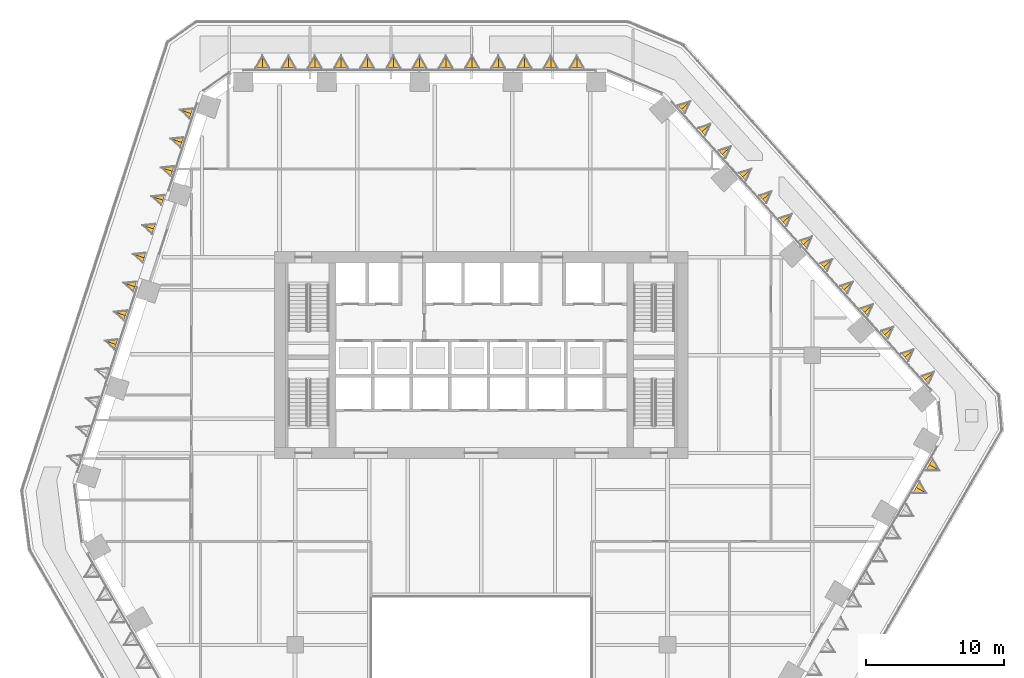
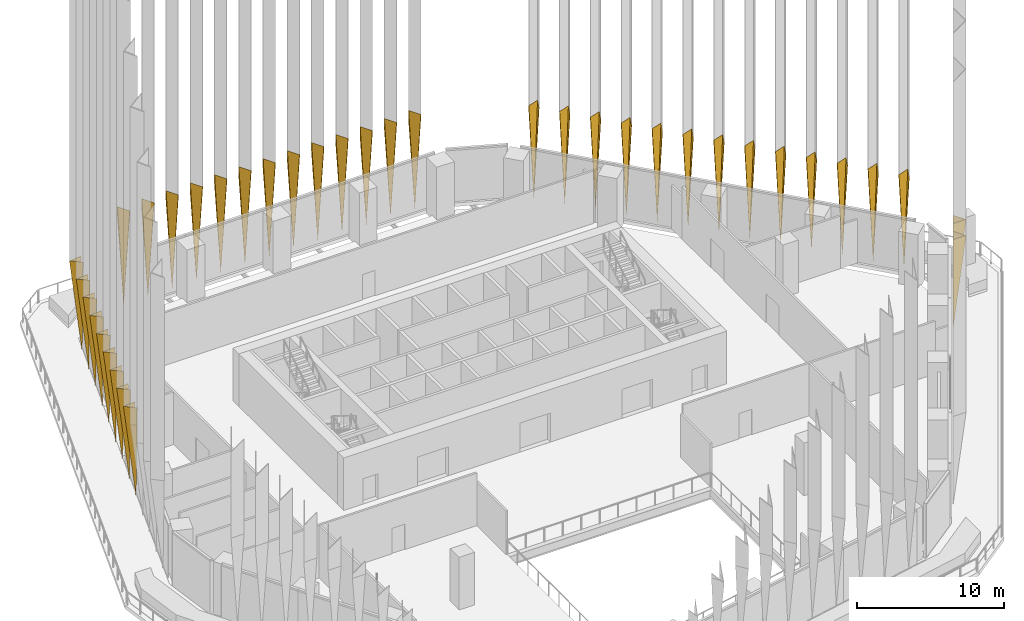
# One storey, part 25 of 27: 37 coverings.
"""IFC4 building model written with IfcOpenShell, lengths in metres."""

from ifc_helpers import new_model, si_unit, direction, frame, origin, place, context, subcontext, project, spatial, polyline, outline, faceted_brep, material, material_profile, profile_set, type_object, element, save


model = new_model("IFC4")

# Units and contexts
model_context = context("Model", 3, precision=1e-05, world=origin(), true_north=direction((0.0, 1.0)))
body_context = subcontext(model_context, "Body", "Model", "MODEL_VIEW")
ifc_project = project(units=[si_unit("LENGTHUNIT", "METRE"), si_unit("AREAUNIT", "SQUARE_METRE"), si_unit("VOLUMEUNIT", "CUBIC_METRE"), si_unit("PLANEANGLEUNIT", "RADIAN"), si_unit("MASSUNIT", "GRAM", prefix="KILO")], contexts=[model_context])

# Site, building, storey
site_placement = place(None, origin())
site = spatial("IfcSite", under=ifc_project, at=site_placement, CompositionType="ELEMENT")
building_placement = place(site_placement, origin())
building = spatial("IfcBuilding", under=site, at=building_placement, Name="Isthmus Gate Tower", CompositionType="ELEMENT")
storey_placement = place(building_placement, frame((0.0, 0.0, 121.64990234375)))
storey = spatial("IfcBuildingStorey", under=building, at=storey_placement, Name="L29", CompositionType="ELEMENT", Elevation=121.64990234375)

# Coverings
ifc_material_1 = material(Name="Structural steel ASTM A572 Gr 50, white paint system", Category="steel")
ifc_material_profile_1 = material_profile(ifc_material_1, outline(polyline([(0.0, -0.391845703125), (0.8798828125, 0.0), (0.0, 0.391845703125), (0.0, 0.35888671875), (0.80615234375, 0.0), (0.0, -0.35888671875), (0.0, -0.391845703125)])), Name="V880")
ifc_profile_set_1 = profile_set([ifc_material_profile_1], Name="Structural steel ASTM A572 Gr 50, white paint system")
covering_type_1 = type_object("IfcCoveringType", Name="FIN V 880 DEEP FOOT", PredefinedType="CLADDING", material=ifc_profile_set_1)
covering_1_placement = place(storey_placement, frame((0.0, 0.0, -121.64990234375)))
element("IfcCovering", 1, at=covering_1_placement, inside=storey, type_object=covering_type_1, Name="FIN", ObjectType="FIN", PredefinedType="CLADDING", context=body_context, shape_type="Brep", body=[
    faceted_brep([(-20.915283203125, 25.3916015625, 129.39990234375), (-21.873291015625, 25.291015625, 129.39990234375), (-21.157470703125, 24.646484375, 129.39990234375), (-21.147216796875, 24.677734375, 129.39990234375), (-21.80322265625, 25.26806640625, 129.39990234375), (-20.925537109375, 25.3603515625, 129.39990234375), (-21.036376953125, 25.01904296875, 121.75)], [[[0, 1, 2, 3, 4, 5]], [[1, 0, 6]], [[2, 1, 6]], [[3, 2, 6]], [[4, 3, 6]], [[5, 4, 6]], [[0, 5, 6]]]),
])
covering_2_placement = place(storey_placement, frame((0.0, 0.0, -121.64990234375)))
element("IfcCovering", 2, at=covering_2_placement, inside=storey, type_object=covering_type_1, Name="FIN", ObjectType="FIN", PredefinedType="CLADDING", context=body_context, shape_type="Brep", body=[
    faceted_brep([(-21.59521484375, 23.299072265625, 129.39990234375), (-22.55322265625, 23.198486328125, 129.39990234375), (-21.83740234375, 22.553955078125, 129.39990234375), (-21.8271484375, 22.585205078125, 129.39990234375), (-22.483154296875, 23.175537109375, 129.39990234375), (-21.60546875, 23.267822265625, 129.39990234375), (-21.71630859375, 22.926513671875, 121.75)], [[[0, 1, 2, 3, 4, 5]], [[1, 0, 6]], [[2, 1, 6]], [[3, 2, 6]], [[4, 3, 6]], [[5, 4, 6]], [[0, 5, 6]]]),
])
covering_3_placement = place(storey_placement, frame((0.0, 0.0, -121.64990234375)))
element("IfcCovering", 3, at=covering_3_placement, inside=storey, type_object=covering_type_1, Name="FIN", ObjectType="FIN", PredefinedType="CLADDING", context=body_context, shape_type="Brep", body=[
    faceted_brep([(-22.275146484375, 21.206787109375, 129.39990234375), (-23.233154296875, 21.106201171875, 129.39990234375), (-22.517333984375, 20.461669921875, 129.39990234375), (-22.507080078125, 20.492919921875, 129.39990234375), (-23.1630859375, 21.083251953125, 129.39990234375), (-22.285400390625, 21.175537109375, 129.39990234375), (-22.396240234375, 20.834228515625, 121.75)], [[[0, 1, 2, 3, 4, 5]], [[1, 0, 6]], [[2, 1, 6]], [[3, 2, 6]], [[4, 3, 6]], [[5, 4, 6]], [[0, 5, 6]]]),
])
covering_4_placement = place(storey_placement, frame((0.0, 0.0, -121.64990234375)))
element("IfcCovering", 4, at=covering_4_placement, inside=storey, type_object=covering_type_1, Name="FIN", ObjectType="FIN", PredefinedType="CLADDING", context=body_context, shape_type="Brep", body=[
    faceted_brep([(-22.954833984375, 19.114501953125, 129.39990234375), (-23.912841796875, 19.013916015625, 129.39990234375), (-23.197021484375, 18.369384765625, 129.39990234375), (-23.186767578125, 18.400634765625, 129.39990234375), (-23.8427734375, 18.990966796875, 129.39990234375), (-22.965087890625, 19.083251953125, 129.39990234375), (-23.075927734375, 18.741943359375, 121.75)], [[[0, 1, 2, 3, 4, 5]], [[1, 0, 6]], [[2, 1, 6]], [[3, 2, 6]], [[4, 3, 6]], [[5, 4, 6]], [[0, 5, 6]]]),
])
covering_5_placement = place(storey_placement, frame((0.0, 0.0, -121.64990234375)))
element("IfcCovering", 5, at=covering_5_placement, inside=storey, type_object=covering_type_1, Name="FIN", ObjectType="FIN", PredefinedType="CLADDING", context=body_context, shape_type="Brep", body=[
    faceted_brep([(-23.634765625, 17.022216796875, 129.39990234375), (-24.5927734375, 16.921630859375, 129.39990234375), (-23.876953125, 16.277099609375, 129.39990234375), (-23.86669921875, 16.308349609375, 129.39990234375), (-24.522705078125, 16.898681640625, 129.39990234375), (-23.64501953125, 16.990966796875, 129.39990234375), (-23.755859375, 16.649658203125, 121.75)], [[[0, 1, 2, 3, 4, 5]], [[1, 0, 6]], [[2, 1, 6]], [[3, 2, 6]], [[4, 3, 6]], [[5, 4, 6]], [[0, 5, 6]]]),
])
covering_6_placement = place(storey_placement, frame((0.0, 0.0, -121.64990234375)))
element("IfcCovering", 6, at=covering_6_placement, inside=storey, type_object=covering_type_1, Name="FIN", ObjectType="FIN", PredefinedType="CLADDING", context=body_context, shape_type="Brep", body=[
    faceted_brep([(-24.314453125, 14.929931640625, 129.39990234375), (-25.2724609375, 14.829345703125, 129.39990234375), (-24.556640625, 14.184814453125, 129.39990234375), (-24.54638671875, 14.216064453125, 129.39990234375), (-25.202392578125, 14.806396484375, 129.39990234375), (-24.32470703125, 14.898681640625, 129.39990234375), (-24.435546875, 14.557373046875, 121.75)], [[[0, 1, 2, 3, 4, 5]], [[1, 0, 6]], [[2, 1, 6]], [[3, 2, 6]], [[4, 3, 6]], [[5, 4, 6]], [[0, 5, 6]]]),
])
covering_7_placement = place(storey_placement, frame((0.0, 0.0, -121.64990234375)))
element("IfcCovering", 7, at=covering_7_placement, inside=storey, type_object=covering_type_1, Name="FIN", ObjectType="FIN", PredefinedType="CLADDING", context=body_context, shape_type="Brep", body=[
    faceted_brep([(-24.994384765625, 12.837646484375, 129.39990234375), (-25.952392578125, 12.737060546875, 129.39990234375), (-25.236572265625, 12.092529296875, 129.39990234375), (-25.226318359375, 12.123779296875, 129.39990234375), (-25.88232421875, 12.714111328125, 129.39990234375), (-25.004638671875, 12.806396484375, 129.39990234375), (-25.115478515625, 12.465087890625, 121.75)], [[[0, 1, 2, 3, 4, 5]], [[1, 0, 6]], [[2, 1, 6]], [[3, 2, 6]], [[4, 3, 6]], [[5, 4, 6]], [[0, 5, 6]]]),
])
covering_8_placement = place(storey_placement, frame((0.0, 0.0, -121.64990234375)))
element("IfcCovering", 8, at=covering_8_placement, inside=storey, type_object=covering_type_1, Name="FIN", ObjectType="FIN", PredefinedType="CLADDING", context=body_context, shape_type="Brep", body=[
    faceted_brep([(-25.67431640625, 10.7451171875, 129.39990234375), (-26.63232421875, 10.64453125, 129.39990234375), (-25.91650390625, 10.0, 129.39990234375), (-25.90625, 10.03125, 129.39990234375), (-26.562255859375, 10.62158203125, 129.39990234375), (-25.6845703125, 10.7138671875, 129.39990234375), (-25.79541015625, 10.37255859375, 121.75)], [[[0, 1, 2, 3, 4, 5]], [[1, 0, 6]], [[2, 1, 6]], [[3, 2, 6]], [[4, 3, 6]], [[5, 4, 6]], [[0, 5, 6]]]),
])
covering_9_placement = place(storey_placement, frame((0.0, 0.0, -121.64990234375)))
element("IfcCovering", 9, at=covering_9_placement, inside=storey, type_object=covering_type_1, Name="FIN", ObjectType="FIN", PredefinedType="CLADDING", context=body_context, shape_type="Brep", body=[
    faceted_brep([(-26.35400390625, 8.65283203125, 129.39990234375), (-27.31201171875, 8.55224609375, 129.39990234375), (-26.59619140625, 7.90771484375, 129.39990234375), (-26.5859375, 7.93896484375, 129.39990234375), (-27.241943359375, 8.529296875, 129.39990234375), (-26.3642578125, 8.62158203125, 129.39990234375), (-26.47509765625, 8.2802734375, 121.75)], [[[0, 1, 2, 3, 4, 5]], [[1, 0, 6]], [[2, 1, 6]], [[3, 2, 6]], [[4, 3, 6]], [[5, 4, 6]], [[0, 5, 6]]]),
])
covering_10_placement = place(storey_placement, frame((0.0, 0.0, -121.64990234375)))
element("IfcCovering", 10, at=covering_10_placement, inside=storey, type_object=covering_type_1, Name="FIN", ObjectType="FIN", PredefinedType="CLADDING", context=body_context, shape_type="Brep", body=[
    faceted_brep([(32.447509765625, 5.41748046875, 129.39990234375), (32.83935546875, 6.297607421875, 129.39990234375), (31.923095703125, 6.0, 129.39990234375), (31.945068359375, 5.9755859375, 129.39990234375), (32.784423828125, 6.248291015625, 129.39990234375), (32.425537109375, 5.44189453125, 129.39990234375), (32.185302734375, 5.708740234375, 121.75)], [[[0, 1, 2, 3, 4, 5]], [[1, 0, 6]], [[2, 1, 6]], [[3, 2, 6]], [[4, 3, 6]], [[5, 4, 6]], [[0, 5, 6]]]),
])
covering_11_placement = place(storey_placement, frame((0.0, 0.0, -121.64990234375)))
element("IfcCovering", 11, at=covering_11_placement, inside=storey, type_object=covering_type_1, Name="FIN", ObjectType="FIN", PredefinedType="CLADDING", context=body_context, shape_type="Brep", body=[
    faceted_brep([(30.975341796875, 7.05224609375, 129.39990234375), (31.3671875, 7.932373046875, 129.39990234375), (30.450927734375, 7.634765625, 129.39990234375), (30.472900390625, 7.6103515625, 129.39990234375), (31.312255859375, 7.883056640625, 129.39990234375), (30.953369140625, 7.07666015625, 129.39990234375), (30.713134765625, 7.343505859375, 121.75)], [[[0, 1, 2, 3, 4, 5]], [[1, 0, 6]], [[2, 1, 6]], [[3, 2, 6]], [[4, 3, 6]], [[5, 4, 6]], [[0, 5, 6]]]),
])
covering_12_placement = place(storey_placement, frame((0.0, 0.0, -121.64990234375)))
element("IfcCovering", 12, at=covering_12_placement, inside=storey, type_object=covering_type_1, Name="FIN", ObjectType="FIN", PredefinedType="CLADDING", context=body_context, shape_type="Brep", body=[
    faceted_brep([(29.503173828125, 8.687255859375, 129.39990234375), (29.89501953125, 9.5673828125, 129.39990234375), (28.978759765625, 9.269775390625, 129.39990234375), (29.000732421875, 9.245361328125, 129.39990234375), (29.840087890625, 9.51806640625, 129.39990234375), (29.481201171875, 8.711669921875, 129.39990234375), (29.240966796875, 8.978515625, 121.75)], [[[0, 1, 2, 3, 4, 5]], [[1, 0, 6]], [[2, 1, 6]], [[3, 2, 6]], [[4, 3, 6]], [[5, 4, 6]], [[0, 5, 6]]]),
])
covering_13_placement = place(storey_placement, frame((0.0, 0.0, -121.64990234375)))
element("IfcCovering", 13, at=covering_13_placement, inside=storey, type_object=covering_type_1, Name="FIN", ObjectType="FIN", PredefinedType="CLADDING", context=body_context, shape_type="Brep", body=[
    faceted_brep([(28.03125, 10.322021484375, 129.39990234375), (28.423095703125, 11.2021484375, 129.39990234375), (27.5068359375, 10.904541015625, 129.39990234375), (27.52880859375, 10.880126953125, 129.39990234375), (28.3681640625, 11.15283203125, 129.39990234375), (28.00927734375, 10.346435546875, 129.39990234375), (27.76904296875, 10.61328125, 121.75)], [[[0, 1, 2, 3, 4, 5]], [[1, 0, 6]], [[2, 1, 6]], [[3, 2, 6]], [[4, 3, 6]], [[5, 4, 6]], [[0, 5, 6]]]),
])
covering_14_placement = place(storey_placement, frame((0.0, 0.0, -121.64990234375)))
element("IfcCovering", 14, at=covering_14_placement, inside=storey, type_object=covering_type_1, Name="FIN", ObjectType="FIN", PredefinedType="CLADDING", context=body_context, shape_type="Brep", body=[
    faceted_brep([(26.55908203125, 11.95703125, 129.39990234375), (26.950927734375, 12.837158203125, 129.39990234375), (26.03466796875, 12.53955078125, 129.39990234375), (26.056640625, 12.51513671875, 129.39990234375), (26.89599609375, 12.787841796875, 129.39990234375), (26.537109375, 11.9814453125, 129.39990234375), (26.296875, 12.248291015625, 121.75)], [[[0, 1, 2, 3, 4, 5]], [[1, 0, 6]], [[2, 1, 6]], [[3, 2, 6]], [[4, 3, 6]], [[5, 4, 6]], [[0, 5, 6]]]),
])
covering_15_placement = place(storey_placement, frame((0.0, 0.0, -121.64990234375)))
element("IfcCovering", 15, at=covering_15_placement, inside=storey, type_object=covering_type_1, Name="FIN", ObjectType="FIN", PredefinedType="CLADDING", context=body_context, shape_type="Brep", body=[
    faceted_brep([(25.0869140625, 13.592041015625, 129.39990234375), (25.478759765625, 14.47216796875, 129.39990234375), (24.5625, 14.174560546875, 129.39990234375), (24.58447265625, 14.150146484375, 129.39990234375), (25.423828125, 14.4228515625, 129.39990234375), (25.06494140625, 13.616455078125, 129.39990234375), (24.82470703125, 13.88330078125, 121.75)], [[[0, 1, 2, 3, 4, 5]], [[1, 0, 6]], [[2, 1, 6]], [[3, 2, 6]], [[4, 3, 6]], [[5, 4, 6]], [[0, 5, 6]]]),
])
covering_16_placement = place(storey_placement, frame((0.0, 0.0, -121.64990234375)))
element("IfcCovering", 16, at=covering_16_placement, inside=storey, type_object=covering_type_1, Name="FIN", ObjectType="FIN", PredefinedType="CLADDING", context=body_context, shape_type="Brep", body=[
    faceted_brep([(23.614990234375, 15.226806640625, 129.39990234375), (24.0068359375, 16.10693359375, 129.39990234375), (23.090576171875, 15.809326171875, 129.39990234375), (23.112548828125, 15.784912109375, 129.39990234375), (23.951904296875, 16.0576171875, 129.39990234375), (23.593017578125, 15.251220703125, 129.39990234375), (23.352783203125, 15.51806640625, 121.75)], [[[0, 1, 2, 3, 4, 5]], [[1, 0, 6]], [[2, 1, 6]], [[3, 2, 6]], [[4, 3, 6]], [[5, 4, 6]], [[0, 5, 6]]]),
])
covering_17_placement = place(storey_placement, frame((0.0, 0.0, -121.64990234375)))
element("IfcCovering", 17, at=covering_17_placement, inside=storey, type_object=covering_type_1, Name="FIN", ObjectType="FIN", PredefinedType="CLADDING", context=body_context, shape_type="Brep", body=[
    faceted_brep([(22.142822265625, 16.86181640625, 129.39990234375), (22.53466796875, 17.741943359375, 129.39990234375), (21.618408203125, 17.4443359375, 129.39990234375), (21.640380859375, 17.419921875, 129.39990234375), (22.479736328125, 17.692626953125, 129.39990234375), (22.120849609375, 16.88623046875, 129.39990234375), (21.880615234375, 17.153076171875, 121.75)], [[[0, 1, 2, 3, 4, 5]], [[1, 0, 6]], [[2, 1, 6]], [[3, 2, 6]], [[4, 3, 6]], [[5, 4, 6]], [[0, 5, 6]]]),
])
covering_18_placement = place(storey_placement, frame((0.0, 0.0, -121.64990234375)))
element("IfcCovering", 18, at=covering_18_placement, inside=storey, type_object=covering_type_1, Name="FIN", ObjectType="FIN", PredefinedType="CLADDING", context=body_context, shape_type="Brep", body=[
    faceted_brep([(20.670654296875, 18.496826171875, 129.39990234375), (21.0625, 19.376953125, 129.39990234375), (20.146240234375, 19.079345703125, 129.39990234375), (20.168212890625, 19.054931640625, 129.39990234375), (21.007568359375, 19.32763671875, 129.39990234375), (20.648681640625, 18.521240234375, 129.39990234375), (20.408447265625, 18.7880859375, 121.75)], [[[0, 1, 2, 3, 4, 5]], [[1, 0, 6]], [[2, 1, 6]], [[3, 2, 6]], [[4, 3, 6]], [[5, 4, 6]], [[0, 5, 6]]]),
])
covering_19_placement = place(storey_placement, frame((0.0, 0.0, -121.64990234375)))
element("IfcCovering", 19, at=covering_19_placement, inside=storey, type_object=covering_type_1, Name="FIN", ObjectType="FIN", PredefinedType="CLADDING", context=body_context, shape_type="Brep", body=[
    faceted_brep([(19.19873046875, 20.131591796875, 129.39990234375), (19.590576171875, 21.01171875, 129.39990234375), (18.67431640625, 20.714111328125, 129.39990234375), (18.6962890625, 20.689697265625, 129.39990234375), (19.53564453125, 20.96240234375, 129.39990234375), (19.1767578125, 20.156005859375, 129.39990234375), (18.9365234375, 20.4228515625, 121.75)], [[[0, 1, 2, 3, 4, 5]], [[1, 0, 6]], [[2, 1, 6]], [[3, 2, 6]], [[4, 3, 6]], [[5, 4, 6]], [[0, 5, 6]]]),
])
covering_20_placement = place(storey_placement, frame((0.0, 0.0, -121.64990234375)))
element("IfcCovering", 20, at=covering_20_placement, inside=storey, type_object=covering_type_1, Name="FIN", ObjectType="FIN", PredefinedType="CLADDING", context=body_context, shape_type="Brep", body=[
    faceted_brep([(17.7265625, 21.7666015625, 129.39990234375), (18.118408203125, 22.646728515625, 129.39990234375), (17.2021484375, 22.34912109375, 129.39990234375), (17.22412109375, 22.32470703125, 129.39990234375), (18.0634765625, 22.597412109375, 129.39990234375), (17.70458984375, 21.791015625, 129.39990234375), (17.46435546875, 22.057861328125, 121.75)], [[[0, 1, 2, 3, 4, 5]], [[1, 0, 6]], [[2, 1, 6]], [[3, 2, 6]], [[4, 3, 6]], [[5, 4, 6]], [[0, 5, 6]]]),
])
covering_21_placement = place(storey_placement, frame((0.0, 0.0, -121.64990234375)))
element("IfcCovering", 21, at=covering_21_placement, inside=storey, type_object=covering_type_1, Name="FIN", ObjectType="FIN", PredefinedType="CLADDING", context=body_context, shape_type="Brep", body=[
    faceted_brep([(16.25439453125, 23.4013671875, 129.39990234375), (16.646240234375, 24.281494140625, 129.39990234375), (15.72998046875, 23.98388671875, 129.39990234375), (15.751953125, 23.95947265625, 129.39990234375), (16.59130859375, 24.232177734375, 129.39990234375), (16.232421875, 23.42578125, 129.39990234375), (15.9921875, 23.692626953125, 121.75)], [[[0, 1, 2, 3, 4, 5]], [[1, 0, 6]], [[2, 1, 6]], [[3, 2, 6]], [[4, 3, 6]], [[5, 4, 6]], [[0, 5, 6]]]),
])
covering_22_placement = place(storey_placement, frame((0.0, 0.0, -121.64990234375)))
element("IfcCovering", 22, at=covering_22_placement, inside=storey, type_object=covering_type_1, Name="FIN", ObjectType="FIN", PredefinedType="CLADDING", context=body_context, shape_type="Brep", body=[
    faceted_brep([(14.782470703125, 25.036376953125, 129.39990234375), (15.17431640625, 25.91650390625, 129.39990234375), (14.258056640625, 25.618896484375, 129.39990234375), (14.280029296875, 25.594482421875, 129.39990234375), (15.119384765625, 25.8671875, 129.39990234375), (14.760498046875, 25.060791015625, 129.39990234375), (14.520263671875, 25.32763671875, 121.75)], [[[0, 1, 2, 3, 4, 5]], [[1, 0, 6]], [[2, 1, 6]], [[3, 2, 6]], [[4, 3, 6]], [[5, 4, 6]], [[0, 5, 6]]]),
])
ifc_material_2 = material(Name="Structural steel ASTM A572 Gr 50, white paint system", Category="steel")
ifc_material_profile_2 = material_profile(ifc_material_2, outline(polyline([(0.0, -0.508056640625), (0.8798828125, 0.0), (0.0, 0.508056640625), (0.0, 0.473388671875), (0.820068359375, 0.0), (0.0, -0.473388671875), (0.0, -0.508056640625)])), Name="V880W")
ifc_profile_set_2 = profile_set([ifc_material_profile_2], Name="Structural steel ASTM A572 Gr 50, white paint system")
covering_type_2 = type_object("IfcCoveringType", Name="FIN V 880 DEEP WIDE FOOT", PredefinedType="CLADDING", material=ifc_profile_set_2)
covering_23_placement = place(storey_placement, frame((0.0, 0.0, -121.64990234375)))
element("IfcCovering", 23, at=covering_23_placement, inside=storey, type_object=covering_type_2, Name="FIN", ObjectType="FIN", PredefinedType="CLADDING", context=body_context, shape_type="Brep", body=[
    faceted_brep([(7.4462890625, 28.35009765625, 129.39990234375), (6.938232421875, 29.22998046875, 129.39990234375), (6.43017578125, 28.35009765625, 129.39990234375), (6.46484375, 28.35009765625, 129.39990234375), (6.938232421875, 29.170166015625, 129.39990234375), (7.41162109375, 28.35009765625, 129.39990234375), (6.938232421875, 28.35009765625, 121.75)], [[[0, 1, 2, 3, 4, 5]], [[1, 0, 6]], [[2, 1, 6]], [[3, 2, 6]], [[4, 3, 6]], [[5, 4, 6]], [[0, 5, 6]]]),
])
covering_24_placement = place(storey_placement, frame((0.0, 0.0, -121.64990234375)))
element("IfcCovering", 24, at=covering_24_placement, inside=storey, type_object=covering_type_2, Name="FIN", ObjectType="FIN", PredefinedType="CLADDING", context=body_context, shape_type="Brep", body=[
    faceted_brep([(5.54638671875, 28.35009765625, 129.39990234375), (5.038330078125, 29.22998046875, 129.39990234375), (4.5302734375, 28.35009765625, 129.39990234375), (4.56494140625, 28.35009765625, 129.39990234375), (5.038330078125, 29.170166015625, 129.39990234375), (5.51171875, 28.35009765625, 129.39990234375), (5.038330078125, 28.35009765625, 121.75)], [[[0, 1, 2, 3, 4, 5]], [[1, 0, 6]], [[2, 1, 6]], [[3, 2, 6]], [[4, 3, 6]], [[5, 4, 6]], [[0, 5, 6]]]),
])
covering_25_placement = place(storey_placement, frame((0.0, 0.0, -121.64990234375)))
element("IfcCovering", 25, at=covering_25_placement, inside=storey, type_object=covering_type_2, Name="FIN", ObjectType="FIN", PredefinedType="CLADDING", context=body_context, shape_type="Brep", body=[
    faceted_brep([(3.646240234375, 28.35009765625, 129.39990234375), (3.13818359375, 29.22998046875, 129.39990234375), (2.630126953125, 28.35009765625, 129.39990234375), (2.664794921875, 28.35009765625, 129.39990234375), (3.13818359375, 29.170166015625, 129.39990234375), (3.611572265625, 28.35009765625, 129.39990234375), (3.13818359375, 28.35009765625, 121.75)], [[[0, 1, 2, 3, 4, 5]], [[1, 0, 6]], [[2, 1, 6]], [[3, 2, 6]], [[4, 3, 6]], [[5, 4, 6]], [[0, 5, 6]]]),
])
covering_26_placement = place(storey_placement, frame((0.0, 0.0, -121.64990234375)))
element("IfcCovering", 26, at=covering_26_placement, inside=storey, type_object=covering_type_2, Name="FIN", ObjectType="FIN", PredefinedType="CLADDING", context=body_context, shape_type="Brep", body=[
    faceted_brep([(1.746337890625, 28.35009765625, 129.39990234375), (1.23828125, 29.22998046875, 129.39990234375), (0.730224609375, 28.35009765625, 129.39990234375), (0.764892578125, 28.35009765625, 129.39990234375), (1.23828125, 29.170166015625, 129.39990234375), (1.711669921875, 28.35009765625, 129.39990234375), (1.23828125, 28.35009765625, 121.75)], [[[0, 1, 2, 3, 4, 5]], [[1, 0, 6]], [[2, 1, 6]], [[3, 2, 6]], [[4, 3, 6]], [[5, 4, 6]], [[0, 5, 6]]]),
])
covering_27_placement = place(storey_placement, frame((0.0, 0.0, -121.64990234375)))
element("IfcCovering", 27, at=covering_27_placement, inside=storey, type_object=covering_type_2, Name="FIN", ObjectType="FIN", PredefinedType="CLADDING", context=body_context, shape_type="Brep", body=[
    faceted_brep([(-0.153564453125, 28.35009765625, 129.39990234375), (-0.66162109375, 29.22998046875, 129.39990234375), (-1.169677734375, 28.35009765625, 129.39990234375), (-1.135009765625, 28.35009765625, 129.39990234375), (-0.66162109375, 29.170166015625, 129.39990234375), (-0.188232421875, 28.35009765625, 129.39990234375), (-0.66162109375, 28.35009765625, 121.75)], [[[0, 1, 2, 3, 4, 5]], [[1, 0, 6]], [[2, 1, 6]], [[3, 2, 6]], [[4, 3, 6]], [[5, 4, 6]], [[0, 5, 6]]]),
])
covering_28_placement = place(storey_placement, frame((0.0, 0.0, -121.64990234375)))
element("IfcCovering", 28, at=covering_28_placement, inside=storey, type_object=covering_type_2, Name="FIN", ObjectType="FIN", PredefinedType="CLADDING", context=body_context, shape_type="Brep", body=[
    faceted_brep([(-2.0537109375, 28.35009765625, 129.39990234375), (-2.561767578125, 29.22998046875, 129.39990234375), (-3.06982421875, 28.35009765625, 129.39990234375), (-3.03515625, 28.35009765625, 129.39990234375), (-2.561767578125, 29.170166015625, 129.39990234375), (-2.08837890625, 28.35009765625, 129.39990234375), (-2.561767578125, 28.35009765625, 121.75)], [[[0, 1, 2, 3, 4, 5]], [[1, 0, 6]], [[2, 1, 6]], [[3, 2, 6]], [[4, 3, 6]], [[5, 4, 6]], [[0, 5, 6]]]),
])
covering_29_placement = place(storey_placement, frame((0.0, 0.0, -121.64990234375)))
element("IfcCovering", 29, at=covering_29_placement, inside=storey, type_object=covering_type_2, Name="FIN", ObjectType="FIN", PredefinedType="CLADDING", context=body_context, shape_type="Brep", body=[
    faceted_brep([(-3.95361328125, 28.35009765625, 129.39990234375), (-4.461669921875, 29.22998046875, 129.39990234375), (-4.9697265625, 28.35009765625, 129.39990234375), (-4.93505859375, 28.35009765625, 129.39990234375), (-4.461669921875, 29.170166015625, 129.39990234375), (-3.98828125, 28.35009765625, 129.39990234375), (-4.461669921875, 28.35009765625, 121.75)], [[[0, 1, 2, 3, 4, 5]], [[1, 0, 6]], [[2, 1, 6]], [[3, 2, 6]], [[4, 3, 6]], [[5, 4, 6]], [[0, 5, 6]]]),
])
covering_30_placement = place(storey_placement, frame((0.0, 0.0, -121.64990234375)))
element("IfcCovering", 30, at=covering_30_placement, inside=storey, type_object=covering_type_2, Name="FIN", ObjectType="FIN", PredefinedType="CLADDING", context=body_context, shape_type="Brep", body=[
    faceted_brep([(-5.853759765625, 28.35009765625, 129.39990234375), (-6.36181640625, 29.22998046875, 129.39990234375), (-6.869873046875, 28.35009765625, 129.39990234375), (-6.835205078125, 28.35009765625, 129.39990234375), (-6.36181640625, 29.170166015625, 129.39990234375), (-5.888427734375, 28.35009765625, 129.39990234375), (-6.36181640625, 28.35009765625, 121.75)], [[[0, 1, 2, 3, 4, 5]], [[1, 0, 6]], [[2, 1, 6]], [[3, 2, 6]], [[4, 3, 6]], [[5, 4, 6]], [[0, 5, 6]]]),
])
covering_31_placement = place(storey_placement, frame((0.0, 0.0, -121.64990234375)))
element("IfcCovering", 31, at=covering_31_placement, inside=storey, type_object=covering_type_2, Name="FIN", ObjectType="FIN", PredefinedType="CLADDING", context=body_context, shape_type="Brep", body=[
    faceted_brep([(-7.753662109375, 28.35009765625, 129.39990234375), (-8.26171875, 29.22998046875, 129.39990234375), (-8.769775390625, 28.35009765625, 129.39990234375), (-8.735107421875, 28.35009765625, 129.39990234375), (-8.26171875, 29.170166015625, 129.39990234375), (-7.788330078125, 28.35009765625, 129.39990234375), (-8.26171875, 28.35009765625, 121.75)], [[[0, 1, 2, 3, 4, 5]], [[1, 0, 6]], [[2, 1, 6]], [[3, 2, 6]], [[4, 3, 6]], [[5, 4, 6]], [[0, 5, 6]]]),
])
covering_32_placement = place(storey_placement, frame((0.0, 0.0, -121.64990234375)))
element("IfcCovering", 32, at=covering_32_placement, inside=storey, type_object=covering_type_2, Name="FIN", ObjectType="FIN", PredefinedType="CLADDING", context=body_context, shape_type="Brep", body=[
    faceted_brep([(-9.653564453125, 28.35009765625, 129.39990234375), (-10.16162109375, 29.22998046875, 129.39990234375), (-10.669677734375, 28.35009765625, 129.39990234375), (-10.635009765625, 28.35009765625, 129.39990234375), (-10.16162109375, 29.170166015625, 129.39990234375), (-9.688232421875, 28.35009765625, 129.39990234375), (-10.16162109375, 28.35009765625, 121.75)], [[[0, 1, 2, 3, 4, 5]], [[1, 0, 6]], [[2, 1, 6]], [[3, 2, 6]], [[4, 3, 6]], [[5, 4, 6]], [[0, 5, 6]]]),
])
covering_33_placement = place(storey_placement, frame((0.0, 0.0, -121.64990234375)))
element("IfcCovering", 33, at=covering_33_placement, inside=storey, type_object=covering_type_2, Name="FIN", ObjectType="FIN", PredefinedType="CLADDING", context=body_context, shape_type="Brep", body=[
    faceted_brep([(-11.5537109375, 28.35009765625, 129.39990234375), (-12.061767578125, 29.22998046875, 129.39990234375), (-12.56982421875, 28.35009765625, 129.39990234375), (-12.53515625, 28.35009765625, 129.39990234375), (-12.061767578125, 29.170166015625, 129.39990234375), (-11.58837890625, 28.35009765625, 129.39990234375), (-12.061767578125, 28.35009765625, 121.75)], [[[0, 1, 2, 3, 4, 5]], [[1, 0, 6]], [[2, 1, 6]], [[3, 2, 6]], [[4, 3, 6]], [[5, 4, 6]], [[0, 5, 6]]]),
])
covering_34_placement = place(storey_placement, frame((0.0, 0.0, -121.64990234375)))
element("IfcCovering", 34, at=covering_34_placement, inside=storey, type_object=covering_type_2, Name="FIN", ObjectType="FIN", PredefinedType="CLADDING", context=body_context, shape_type="Brep", body=[
    faceted_brep([(-13.45361328125, 28.35009765625, 129.39990234375), (-13.961669921875, 29.22998046875, 129.39990234375), (-14.4697265625, 28.35009765625, 129.39990234375), (-14.43505859375, 28.35009765625, 129.39990234375), (-13.961669921875, 29.170166015625, 129.39990234375), (-13.48828125, 28.35009765625, 129.39990234375), (-13.961669921875, 28.35009765625, 121.75)], [[[0, 1, 2, 3, 4, 5]], [[1, 0, 6]], [[2, 1, 6]], [[3, 2, 6]], [[4, 3, 6]], [[5, 4, 6]], [[0, 5, 6]]]),
])
covering_35_placement = place(storey_placement, frame((0.0, 0.0, -121.64990234375)))
element("IfcCovering", 35, at=covering_35_placement, inside=storey, type_object=covering_type_2, Name="FIN", ObjectType="FIN", PredefinedType="CLADDING", context=body_context, shape_type="Brep", body=[
    faceted_brep([(-15.353759765625, 28.35009765625, 129.39990234375), (-15.86181640625, 29.22998046875, 129.39990234375), (-16.369873046875, 28.35009765625, 129.39990234375), (-16.335205078125, 28.35009765625, 129.39990234375), (-15.86181640625, 29.170166015625, 129.39990234375), (-15.388427734375, 28.35009765625, 129.39990234375), (-15.86181640625, 28.35009765625, 121.75)], [[[0, 1, 2, 3, 4, 5]], [[1, 0, 6]], [[2, 1, 6]], [[3, 2, 6]], [[4, 3, 6]], [[5, 4, 6]], [[0, 5, 6]]]),
])
covering_36_placement = place(storey_placement, frame((0.0, 0.0, -121.64990234375)))
element("IfcCovering", 36, at=covering_36_placement, inside=storey, type_object=covering_type_2, Name="FIN", ObjectType="FIN", PredefinedType="CLADDING", context=body_context, shape_type="Brep", body=[
    faceted_brep([(31.278564453125, -2.523681640625, 129.39990234375), (32.294921875, -2.523681640625, 129.39990234375), (31.786865234375, -1.643798828125, 129.39990234375), (31.76953125, -1.673828125, 129.39990234375), (32.242919921875, -2.49365234375, 129.39990234375), (31.2958984375, -2.49365234375, 129.39990234375), (31.53271484375, -2.083740234375, 121.75)], [[[0, 1, 2, 3, 4, 5]], [[1, 0, 6]], [[2, 1, 6]], [[3, 2, 6]], [[4, 3, 6]], [[5, 4, 6]], [[0, 5, 6]]]),
])
covering_37_placement = place(storey_placement, frame((0.0, 0.0, -121.64990234375)))
element("IfcCovering", 37, at=covering_37_placement, inside=storey, type_object=covering_type_2, Name="FIN", ObjectType="FIN", PredefinedType="CLADDING", context=body_context, shape_type="Brep", body=[
    faceted_brep([(32.228515625, -0.87841796875, 129.39990234375), (33.244873046875, -0.87841796875, 129.39990234375), (32.73681640625, 0.00146484375, 129.39990234375), (32.719482421875, -0.028564453125, 129.39990234375), (33.19287109375, -0.848388671875, 129.39990234375), (32.245849609375, -0.848388671875, 129.39990234375), (32.482666015625, -0.4384765625, 121.75)], [[[0, 1, 2, 3, 4, 5]], [[1, 0, 6]], [[2, 1, 6]], [[3, 2, 6]], [[4, 3, 6]], [[5, 4, 6]], [[0, 5, 6]]]),
])

save(model, "model.ifc")
